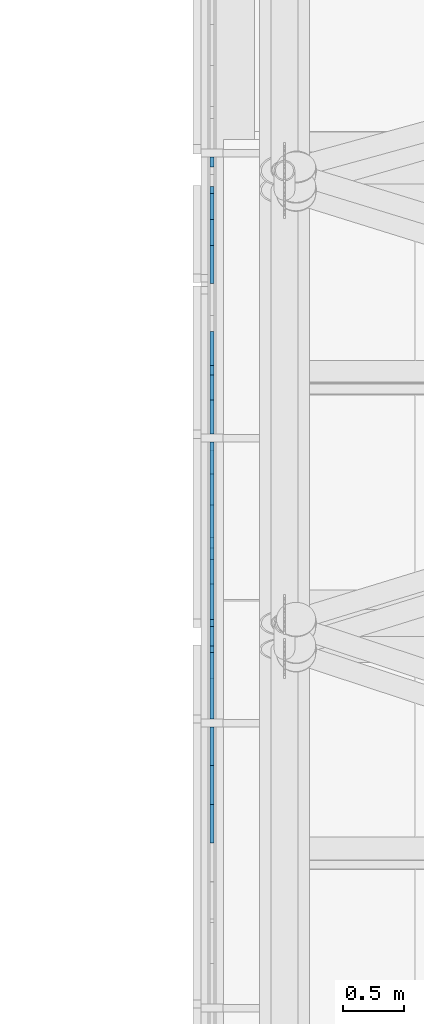
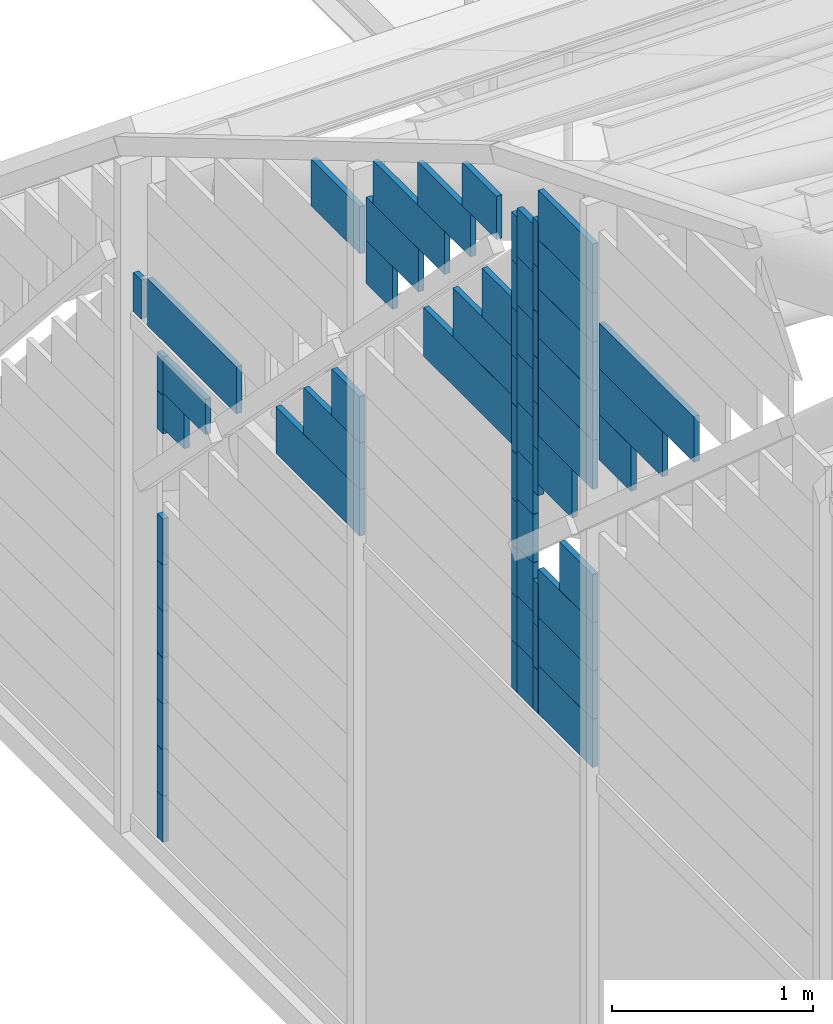
# One storey, part 73 of 110: 67 plates, 1 element without a shape of its own.
"""IFC4 building model written with IfcOpenShell, lengths in metres."""

from ifc_helpers import new_model, si_unit, direction, frame, origin, place, context, subcontext, project, spatial, polyline, outline, extrude, material, layer, layer_set, type_object, element, aggregate, save


model = new_model("IFC4")

# Units and contexts
model_context = context("Model", 3, precision=1e-05, world=origin(), true_north=direction((0.0, 1.0)))
body_context = subcontext(model_context, "Body", "Model", "MODEL_VIEW")
ifc_project = project(units=[si_unit("LENGTHUNIT", "METRE"), si_unit("AREAUNIT", "SQUARE_METRE"), si_unit("VOLUMEUNIT", "CUBIC_METRE"), si_unit("PLANEANGLEUNIT", "RADIAN"), si_unit("MASSUNIT", "GRAM", prefix="KILO")], contexts=[model_context])

# Site, building, storey
site_placement = place(None, origin())
site = spatial("IfcSite", under=ifc_project, at=site_placement, CompositionType="ELEMENT")
building_placement = place(site_placement, origin())
building = spatial("IfcBuilding", under=site, at=building_placement, Name="Windward Yard Aquatics Centre", CompositionType="ELEMENT")
storey_placement = place(building_placement, frame((0.0, 0.0, 22.60009765625)))
storey = spatial("IfcBuildingStorey", under=building, at=storey_placement, Name="L05", CompositionType="ELEMENT", Elevation=22.60009765625)

# Curtain wall, plates
ifc_material_1 = material(Name="Glass and aluminium curtain wall", Category="aluminium")
ifc_layer_1 = layer(ifc_material_1, 0.179931640625)
ifc_layer_set_1 = layer_set([ifc_layer_1], Name="H gable glazing system double glazed 8+16+8")
curtain_wall_type = type_object("IfcCurtainWallType", Name="H gable glazing system double glazed 8+16+8", PredefinedType="NOTDEFINED", material=ifc_layer_set_1)
curtain_wall_placement = place(storey_placement, origin())
curtain_wall = element("IfcCurtainWall", 1, at=curtain_wall_placement, inside=storey, type_object=curtain_wall_type, Name="Gable glazing W", PredefinedType="NOTDEFINED")
ifc_material_2 = material(Name="Low-iron glass", Category="glass")
ifc_layer_2 = layer(ifc_material_2, 0.008, Name="Outer pane")
ifc_material_3 = material(Name="Argon-filled cavity")
ifc_layer_3 = layer(ifc_material_3, 0.016, Name="Cavity")
ifc_layer_4 = layer(ifc_material_2, 0.008, Name="Inner pane")
ifc_layer_set_2 = layer_set([ifc_layer_2, ifc_layer_3, ifc_layer_4], Name="H gable glass low-e double glazed unit 32")
plate_type = type_object("IfcPlateType", Name="H gable glass low-e double glazed unit 32", PredefinedType="CURTAIN_PANEL", material=ifc_layer_set_2)
plate_1_placement = place(storey_placement, frame((59.426025390625, 72.24951171875, 5.059326171875), z_axis=(1.0, 0.0, 0.0), x_axis=(0.0, 1.0, 0.0)))
plate_1 = element("IfcPlate", 2, at=plate_1_placement, type_object=plate_type, Name="Gable panel 14.2l", PredefinedType="CURTAIN_PANEL", context=body_context, shape_type="SweptSolid", body=[
    extrude(outline(polyline([(0.0, 0.0), (0.314209, 0.0), (0.314209, 0.277588), (0.0, 0.277588), (0.0, 0.0)])), origin(), (0.0, 0.0, -1.0), 0.031982421875),
])
plate_2_placement = place(storey_placement, frame((59.426025390625, 71.935791015625, 5.33740234375), z_axis=(1.0, 0.0, 0.0), x_axis=(0.0, 1.0, 0.0)))
plate_2 = element("IfcPlate", 3, at=plate_2_placement, type_object=plate_type, Name="Gable panel 14.2m", PredefinedType="CURTAIN_PANEL", context=body_context, shape_type="SweptSolid", body=[
    extrude(outline(polyline([(0.0, 0.0), (0.62793, 0.0), (0.62793, 0.277588), (0.0, 0.277588), (0.0, 0.0)])), origin(), (0.0, 0.0, -1.0), 0.031982421875),
])
plate_3_placement = place(storey_placement, frame((59.426025390625, 71.621826171875, 5.615478515625), z_axis=(1.0, 0.0, 0.0), x_axis=(0.0, 1.0, 0.0)))
plate_3 = element("IfcPlate", 4, at=plate_3_placement, type_object=plate_type, Name="Gable panel 14.2n", PredefinedType="CURTAIN_PANEL", context=body_context, shape_type="SweptSolid", body=[
    extrude(outline(polyline([(0.0, 0.0), (0.941895, 0.0), (0.941895, 0.277588), (0.0, 0.277588), (0.0, 0.0)])), origin(), (0.0, 0.0, -1.0), 0.031982421875),
])
plate_4_placement = place(storey_placement, frame((59.426025390625, 73.438232421875, 4.63037109375), z_axis=(1.0, 0.0, 0.0), x_axis=(0.0, 1.0, 0.0)))
plate_4 = element("IfcPlate", 5, at=plate_4_placement, type_object=plate_type, Name="Gable panel 15.2f", PredefinedType="CURTAIN_PANEL", context=body_context, shape_type="SweptSolid", body=[
    extrude(outline(polyline([(0.0, 0.0), (0.874756, 0.0), (0.874756, 0.295654), (0.0, 0.295654), (0.0, 0.0)])), origin(), (0.0, 0.0, -1.0), 0.031982421875),
])
plate_5_placement = place(storey_placement, frame((59.426025390625, 73.438232421875, 4.926513671875), z_axis=(1.0, 0.0, 0.0), x_axis=(0.0, 1.0, 0.0)))
plate_5 = element("IfcPlate", 6, at=plate_5_placement, type_object=plate_type, Name="Gable panel 15.2g", PredefinedType="CURTAIN_PANEL", context=body_context, shape_type="SweptSolid", body=[
    extrude(outline(polyline([(0.0, 0.0), (0.583252, 0.0), (0.583252, 0.295654), (0.0, 0.295654), (0.0, 0.0)])), origin(), (0.0, 0.0, -1.0), 0.031982421875),
])
plate_6_placement = place(storey_placement, frame((59.426025390625, 73.438232421875, 5.22265625), z_axis=(1.0, 0.0, 0.0), x_axis=(0.0, 1.0, 0.0)))
plate_6 = element("IfcPlate", 7, at=plate_6_placement, type_object=plate_type, Name="Gable panel 15.2h", PredefinedType="CURTAIN_PANEL", context=body_context, shape_type="SweptSolid", body=[
    extrude(outline(polyline([(0.0, 0.0), (0.291748, 0.0), (0.291748, 0.295654), (0.0, 0.295654), (0.0, 0.0)])), origin(), (0.0, 0.0, -1.0), 0.031982421875),
])
plate_7_placement = place(storey_placement, frame((59.426025390625, 73.381103515625, 3.14990234375), z_axis=(1.0, 0.0, 0.0), x_axis=(0.0, 1.0, 0.0)))
plate_7 = element("IfcPlate", 8, at=plate_7_placement, type_object=plate_type, Name="Gable panel 15.2i", PredefinedType="CURTAIN_PANEL", context=body_context, shape_type="SweptSolid", body=[
    extrude(outline(polyline([(0.0, 0.0), (0.057129, 0.0), (0.057129, 0.288574), (0.0, 0.288574), (0.0, 0.0)])), origin(), (0.0, 0.0, -1.0), 0.031982421875),
])
plate_8_placement = place(storey_placement, frame((59.426025390625, 73.381103515625, 3.43896484375), z_axis=(1.0, 0.0, 0.0), x_axis=(0.0, 1.0, 0.0)))
plate_8 = element("IfcPlate", 9, at=plate_8_placement, type_object=plate_type, Name="Gable panel 15.2j", PredefinedType="CURTAIN_PANEL", context=body_context, shape_type="SweptSolid", body=[
    extrude(outline(polyline([(0.0, 0.0), (0.057129, 0.0), (0.057129, 0.28833), (0.0, 0.28833), (0.0, 0.0)])), origin(), (0.0, 0.0, -1.0), 0.031982421875),
])
plate_9_placement = place(storey_placement, frame((59.426025390625, 73.381103515625, 3.727783203125), z_axis=(1.0, 0.0, 0.0), x_axis=(0.0, 1.0, 0.0)))
plate_9 = element("IfcPlate", 10, at=plate_9_placement, type_object=plate_type, Name="Gable panel 15.2k", PredefinedType="CURTAIN_PANEL", context=body_context, shape_type="SweptSolid", body=[
    extrude(outline(polyline([(0.0, 0.0), (0.057129, 0.0), (0.057129, 0.28833), (0.0, 0.28833), (0.0, 0.0)])), origin(), (0.0, 0.0, -1.0), 0.031982421875),
])
plate_10_placement = place(storey_placement, frame((59.426025390625, 73.381103515625, 4.0166015625), z_axis=(1.0, 0.0, 0.0), x_axis=(0.0, 1.0, 0.0)))
plate_10 = element("IfcPlate", 11, at=plate_10_placement, type_object=plate_type, Name="Gable panel 15.2l", PredefinedType="CURTAIN_PANEL", context=body_context, shape_type="SweptSolid", body=[
    extrude(outline(polyline([(0.0, 0.0), (0.057129, 0.0), (0.057129, 0.28833), (0.0, 0.28833), (0.0, 0.0)])), origin(), (0.0, 0.0, -1.0), 0.031982421875),
])
plate_11_placement = place(storey_placement, frame((59.426025390625, 73.381103515625, 4.305419921875), z_axis=(1.0, 0.0, 0.0), x_axis=(0.0, 1.0, 0.0)))
plate_11 = element("IfcPlate", 12, at=plate_11_placement, type_object=plate_type, Name="Gable panel 15.2m", PredefinedType="CURTAIN_PANEL", context=body_context, shape_type="SweptSolid", body=[
    extrude(outline(polyline([(0.0, 0.0), (0.057129, 0.0), (0.057129, 0.28833), (0.0, 0.28833), (0.0, 0.0)])), origin(), (0.0, 0.0, -1.0), 0.031982421875),
])
plate_12_placement = place(storey_placement, frame((59.426025390625, 73.381103515625, 4.59423828125), z_axis=(1.0, 0.0, 0.0), x_axis=(0.0, 1.0, 0.0)))
plate_12 = element("IfcPlate", 13, at=plate_12_placement, type_object=plate_type, Name="Gable panel 15.2n", PredefinedType="CURTAIN_PANEL", context=body_context, shape_type="SweptSolid", body=[
    extrude(outline(polyline([(0.0, 0.0), (0.057129, 0.0), (0.057129, 0.28833), (0.0, 0.28833), (0.0, 0.0)])), origin(), (0.0, 0.0, -1.0), 0.031982421875),
])
plate_13_placement = place(storey_placement, frame((59.426025390625, 73.381103515625, 4.883056640625), z_axis=(1.0, 0.0, 0.0), x_axis=(0.0, 1.0, 0.0)))
plate_13 = element("IfcPlate", 14, at=plate_13_placement, type_object=plate_type, Name="Gable panel 15.2o", PredefinedType="CURTAIN_PANEL", context=body_context, shape_type="SweptSolid", body=[
    extrude(outline(polyline([(0.0, 0.0), (0.057129, 0.0), (0.057129, 0.28833), (0.0, 0.28833), (0.0, 0.0)])), origin(), (0.0, 0.0, -1.0), 0.031982421875),
])
plate_14_placement = place(storey_placement, frame((59.426025390625, 73.381103515625, 5.171875), z_axis=(1.0, 0.0, 0.0), x_axis=(0.0, 1.0, 0.0)))
plate_14 = element("IfcPlate", 15, at=plate_14_placement, type_object=plate_type, Name="Gable panel 15.2p", PredefinedType="CURTAIN_PANEL", context=body_context, shape_type="SweptSolid", body=[
    extrude(outline(polyline([(0.0, 0.0), (0.057129, 0.0), (0.057129, 0.28833), (0.0, 0.28833), (0.0, 0.0)])), origin(), (0.0, 0.0, -1.0), 0.031982421875),
])
plate_15_placement = place(storey_placement, frame((59.426025390625, 73.381103515625, 5.460693359375), z_axis=(1.0, 0.0, 0.0), x_axis=(0.0, 1.0, 0.0)))
plate_15 = element("IfcPlate", 16, at=plate_15_placement, type_object=plate_type, Name="Gable panel 15.2q", PredefinedType="CURTAIN_PANEL", context=body_context, shape_type="SweptSolid", body=[
    extrude(outline(polyline([(0.0, 0.0), (0.057129, 0.0), (0.057129, 0.28833), (0.0, 0.28833), (0.0, 0.0)])), origin(), (0.0, 0.0, -1.0), 0.031982421875),
])
plate_16_placement = place(storey_placement, frame((59.426025390625, 73.381103515625, 5.74951171875), z_axis=(1.0, 0.0, 0.0), x_axis=(0.0, 1.0, 0.0)))
plate_16 = element("IfcPlate", 17, at=plate_16_placement, type_object=plate_type, Name="Gable panel 15.2r", PredefinedType="CURTAIN_PANEL", context=body_context, shape_type="SweptSolid", body=[
    extrude(outline(polyline([(0.0, 0.0), (0.057129, 0.0), (0.057129, 0.28833), (0.0, 0.28833), (0.0, 0.0)])), origin(), (0.0, 0.0, -1.0), 0.031982421875),
])
plate_17_placement = place(storey_placement, frame((59.426025390625, 74.62353515625, 4.724609375), z_axis=(1.0, 0.0, 0.0), x_axis=(0.0, 1.0, 0.0)))
plate_17 = element("IfcPlate", 18, at=plate_17_placement, type_object=plate_type, Name="Gable panel 15.2s", PredefinedType="CURTAIN_PANEL", context=body_context, shape_type="SweptSolid", body=[
    extrude(outline(polyline([(0.0, 0.0), (0.259277, 0.0), (0.259277, 0.262939), (0.0, 0.262939), (0.0, 0.0)])), origin(), (0.0, 0.0, -1.0), 0.031982421875),
])
plate_18_placement = place(storey_placement, frame((59.426025390625, 74.3642578125, 4.98779296875), z_axis=(1.0, 0.0, 0.0), x_axis=(0.0, 1.0, 0.0)))
plate_18 = element("IfcPlate", 19, at=plate_18_placement, type_object=plate_type, Name="Gable panel 15.2t", PredefinedType="CURTAIN_PANEL", context=body_context, shape_type="SweptSolid", body=[
    extrude(outline(polyline([(0.0, 0.0), (0.518555, 0.0), (0.518555, 0.262939), (0.0, 0.262939), (0.0, 0.0)])), origin(), (0.0, 0.0, -1.0), 0.031982421875),
])
plate_19_placement = place(storey_placement, frame((59.426025390625, 74.105224609375, 5.251220703125), z_axis=(1.0, 0.0, 0.0), x_axis=(0.0, 1.0, 0.0)))
plate_19 = element("IfcPlate", 20, at=plate_19_placement, type_object=plate_type, Name="Gable panel 15.2u", PredefinedType="CURTAIN_PANEL", context=body_context, shape_type="SweptSolid", body=[
    extrude(outline(polyline([(0.0, 0.0), (0.71167, 0.0), (0.71167, 0.262695), (0.0, 0.262695), (0.0, 0.0)])), origin(), (0.0, 0.0, -1.0), 0.031982421875),
])
plate_20_placement = place(storey_placement, frame((59.426025390625, 73.845947265625, 5.514404296875), z_axis=(1.0, 0.0, 0.0), x_axis=(0.0, 1.0, 0.0)))
plate_20 = element("IfcPlate", 21, at=plate_20_placement, type_object=plate_type, Name="Gable panel 15.2v", PredefinedType="CURTAIN_PANEL", context=body_context, shape_type="SweptSolid", body=[
    extrude(outline(polyline([(0.0, 0.0), (0.526855, 0.0), (0.526855, 0.262695), (0.0, 0.262695), (0.0, 0.0)])), origin(), (0.0, 0.0, -1.0), 0.031982421875),
])
plate_21_placement = place(storey_placement, frame((59.426025390625, 73.586669921875, 5.777587890625), z_axis=(1.0, 0.0, 0.0), x_axis=(0.0, 1.0, 0.0)))
plate_21 = element("IfcPlate", 22, at=plate_21_placement, type_object=plate_type, Name="Gable panel 15.2w", PredefinedType="CURTAIN_PANEL", context=body_context, shape_type="SweptSolid", body=[
    extrude(outline(polyline([(0.0, 0.0), (0.341797, 0.0), (0.341797, 0.262939), (0.0, 0.262939), (0.0, 0.0)])), origin(), (0.0, 0.0, -1.0), 0.031982421875),
])
plate_22_placement = place(storey_placement, frame((59.426025390625, 73.2236328125, 3.14990234375), z_axis=(1.0, 0.0, 0.0), x_axis=(0.0, 1.0, 0.0)))
plate_22 = element("IfcPlate", 23, at=plate_22_placement, type_object=plate_type, Name="Gable panel 15.2x", PredefinedType="CURTAIN_PANEL", context=body_context, shape_type="SweptSolid", body=[
    extrude(outline(polyline([(0.0, 0.0), (0.157471, 0.0), (0.157471, 0.294434), (0.0, 0.294434), (0.0, 0.0)])), origin(), (0.0, 0.0, -1.0), 0.031982421875),
])
plate_23_placement = place(storey_placement, frame((59.426025390625, 73.2236328125, 3.444580078125), z_axis=(1.0, 0.0, 0.0), x_axis=(0.0, 1.0, 0.0)))
plate_23 = element("IfcPlate", 24, at=plate_23_placement, type_object=plate_type, Name="Gable panel 15.2y", PredefinedType="CURTAIN_PANEL", context=body_context, shape_type="SweptSolid", body=[
    extrude(outline(polyline([(0.0, 0.0), (0.157471, 0.0), (0.157471, 0.294189), (0.0, 0.294189), (0.0, 0.0)])), origin(), (0.0, 0.0, -1.0), 0.031982421875),
])
plate_24_placement = place(storey_placement, frame((59.426025390625, 73.2236328125, 3.7392578125), z_axis=(1.0, 0.0, 0.0), x_axis=(0.0, 1.0, 0.0)))
plate_24 = element("IfcPlate", 25, at=plate_24_placement, type_object=plate_type, Name="Gable panel 15.2z", PredefinedType="CURTAIN_PANEL", context=body_context, shape_type="SweptSolid", body=[
    extrude(outline(polyline([(0.0, 0.0), (0.157471, 0.0), (0.157471, 0.294189), (0.0, 0.294189), (0.0, 0.0)])), origin(), (0.0, 0.0, -1.0), 0.031982421875),
])
plate_25_placement = place(storey_placement, frame((59.426025390625, 73.2236328125, 4.03369140625), z_axis=(1.0, 0.0, 0.0), x_axis=(0.0, 1.0, 0.0)))
plate_25 = element("IfcPlate", 26, at=plate_25_placement, type_object=plate_type, Name="Gable panel 15.2aa", PredefinedType="CURTAIN_PANEL", context=body_context, shape_type="SweptSolid", body=[
    extrude(outline(polyline([(0.0, 0.0), (0.157471, 0.0), (0.157471, 0.294189), (0.0, 0.294189), (0.0, 0.0)])), origin(), (0.0, 0.0, -1.0), 0.031982421875),
])
plate_26_placement = place(storey_placement, frame((59.426025390625, 73.2236328125, 4.328369140625), z_axis=(1.0, 0.0, 0.0), x_axis=(0.0, 1.0, 0.0)))
plate_26 = element("IfcPlate", 27, at=plate_26_placement, type_object=plate_type, Name="Gable panel 15.2ab", PredefinedType="CURTAIN_PANEL", context=body_context, shape_type="SweptSolid", body=[
    extrude(outline(polyline([(0.0, 0.0), (0.157471, 0.0), (0.157471, 0.294189), (0.0, 0.294189), (0.0, 0.0)])), origin(), (0.0, 0.0, -1.0), 0.031982421875),
])
plate_27_placement = place(storey_placement, frame((59.426025390625, 73.2236328125, 4.622802734375), z_axis=(1.0, 0.0, 0.0), x_axis=(0.0, 1.0, 0.0)))
plate_27 = element("IfcPlate", 28, at=plate_27_placement, type_object=plate_type, Name="Gable panel 15.2ac", PredefinedType="CURTAIN_PANEL", context=body_context, shape_type="SweptSolid", body=[
    extrude(outline(polyline([(0.0, 0.0), (0.157471, 0.0), (0.157471, 0.294189), (0.0, 0.294189), (0.0, 0.0)])), origin(), (0.0, 0.0, -1.0), 0.031982421875),
])
plate_28_placement = place(storey_placement, frame((59.426025390625, 73.2236328125, 4.91748046875), z_axis=(1.0, 0.0, 0.0), x_axis=(0.0, 1.0, 0.0)))
plate_28 = element("IfcPlate", 29, at=plate_28_placement, type_object=plate_type, Name="Gable panel 15.2ad", PredefinedType="CURTAIN_PANEL", context=body_context, shape_type="SweptSolid", body=[
    extrude(outline(polyline([(0.0, 0.0), (0.157471, 0.0), (0.157471, 0.294189), (0.0, 0.294189), (0.0, 0.0)])), origin(), (0.0, 0.0, -1.0), 0.031982421875),
])
plate_29_placement = place(storey_placement, frame((59.426025390625, 73.2236328125, 5.212158203125), z_axis=(1.0, 0.0, 0.0), x_axis=(0.0, 1.0, 0.0)))
plate_29 = element("IfcPlate", 30, at=plate_29_placement, type_object=plate_type, Name="Gable panel 15.2ae", PredefinedType="CURTAIN_PANEL", context=body_context, shape_type="SweptSolid", body=[
    extrude(outline(polyline([(0.0, 0.0), (0.157471, 0.0), (0.157471, 0.293945), (0.0, 0.293945), (0.0, 0.0)])), origin(), (0.0, 0.0, -1.0), 0.031982421875),
])
plate_30_placement = place(storey_placement, frame((59.426025390625, 73.2236328125, 5.506591796875), z_axis=(1.0, 0.0, 0.0), x_axis=(0.0, 1.0, 0.0)))
plate_30 = element("IfcPlate", 31, at=plate_30_placement, type_object=plate_type, Name="Gable panel 15.2af", PredefinedType="CURTAIN_PANEL", context=body_context, shape_type="SweptSolid", body=[
    extrude(outline(polyline([(0.0, 0.0), (0.157471, 0.0), (0.157471, 0.294189), (0.0, 0.294189), (0.0, 0.0)])), origin(), (0.0, 0.0, -1.0), 0.031982421875),
])
plate_31_placement = place(storey_placement, frame((59.426025390625, 73.2236328125, 5.80126953125), z_axis=(1.0, 0.0, 0.0), x_axis=(0.0, 1.0, 0.0)))
plate_31 = element("IfcPlate", 32, at=plate_31_placement, type_object=plate_type, Name="Gable panel 15.2ag", PredefinedType="CURTAIN_PANEL", context=body_context, shape_type="SweptSolid", body=[
    extrude(outline(polyline([(0.0, 0.0), (0.157471, 0.0), (0.157471, 0.293945), (0.0, 0.293945), (0.0, 0.0)])), origin(), (0.0, 0.0, -1.0), 0.031982421875),
])
plate_32_placement = place(storey_placement, frame((59.426025390625, 73.170654296875, 3.14990234375), z_axis=(1.0, 0.0, 0.0), x_axis=(0.0, 1.0, 0.0)))
plate_32 = element("IfcPlate", 33, at=plate_32_placement, type_object=plate_type, Name="Gable panel 15.2ah", PredefinedType="CURTAIN_PANEL", context=body_context, shape_type="SweptSolid", body=[
    extrude(outline(polyline([(0.0, 0.0), (0.052979, 0.0), (0.052979, 0.261475), (0.0, 0.261475), (0.0, 0.0)])), origin(), (0.0, 0.0, -1.0), 0.031982421875),
])
plate_33_placement = place(storey_placement, frame((59.426025390625, 73.170654296875, 3.41162109375), z_axis=(1.0, 0.0, 0.0), x_axis=(0.0, 1.0, 0.0)))
plate_33 = element("IfcPlate", 34, at=plate_33_placement, type_object=plate_type, Name="Gable panel 15.2ai", PredefinedType="CURTAIN_PANEL", context=body_context, shape_type="SweptSolid", body=[
    extrude(outline(polyline([(0.0, 0.0), (0.052979, 0.0), (0.052979, 0.261475), (0.0, 0.261475), (0.0, 0.0)])), origin(), (0.0, 0.0, -1.0), 0.031982421875),
])
plate_34_placement = place(storey_placement, frame((59.426025390625, 73.170654296875, 3.67333984375), z_axis=(1.0, 0.0, 0.0), x_axis=(0.0, 1.0, 0.0)))
plate_34 = element("IfcPlate", 35, at=plate_34_placement, type_object=plate_type, Name="Gable panel 15.2aj", PredefinedType="CURTAIN_PANEL", context=body_context, shape_type="SweptSolid", body=[
    extrude(outline(polyline([(0.0, 0.0), (0.052979, 0.0), (0.052979, 0.26123), (0.0, 0.26123), (0.0, 0.0)])), origin(), (0.0, 0.0, -1.0), 0.031982421875),
])
plate_35_placement = place(storey_placement, frame((59.426025390625, 73.170654296875, 4.4736328125), z_axis=(1.0, 0.0, 0.0), x_axis=(0.0, 1.0, 0.0)))
plate_35 = element("IfcPlate", 36, at=plate_35_placement, type_object=plate_type, Name="Gable panel 15.2ak", PredefinedType="CURTAIN_PANEL", context=body_context, shape_type="SweptSolid", body=[
    extrude(outline(polyline([(0.0, 0.0), (0.052979, 0.0), (0.052979, 0.276367), (0.0, 0.276367), (0.0, 0.0)])), origin(), (0.0, 0.0, -1.0), 0.031982421875),
])
plate_36_placement = place(storey_placement, frame((59.426025390625, 73.170654296875, 4.75048828125), z_axis=(1.0, 0.0, 0.0), x_axis=(0.0, 1.0, 0.0)))
plate_36 = element("IfcPlate", 37, at=plate_36_placement, type_object=plate_type, Name="Gable panel 15.2al", PredefinedType="CURTAIN_PANEL", context=body_context, shape_type="SweptSolid", body=[
    extrude(outline(polyline([(0.0, 0.0), (0.052979, 0.0), (0.052979, 0.276367), (0.0, 0.276367), (0.0, 0.0)])), origin(), (0.0, 0.0, -1.0), 0.031982421875),
])
plate_37_placement = place(storey_placement, frame((59.426025390625, 73.170654296875, 5.02734375), z_axis=(1.0, 0.0, 0.0), x_axis=(0.0, 1.0, 0.0)))
plate_37 = element("IfcPlate", 38, at=plate_37_placement, type_object=plate_type, Name="Gable panel 15.2am", PredefinedType="CURTAIN_PANEL", context=body_context, shape_type="SweptSolid", body=[
    extrude(outline(polyline([(0.0, 0.0), (0.052979, 0.0), (0.052979, 0.276367), (0.0, 0.276367), (0.0, 0.0)])), origin(), (0.0, 0.0, -1.0), 0.031982421875),
])
plate_38_placement = place(storey_placement, frame((59.426025390625, 73.170654296875, 5.30419921875), z_axis=(1.0, 0.0, 0.0), x_axis=(0.0, 1.0, 0.0)))
plate_38 = element("IfcPlate", 39, at=plate_38_placement, type_object=plate_type, Name="Gable panel 15.2an", PredefinedType="CURTAIN_PANEL", context=body_context, shape_type="SweptSolid", body=[
    extrude(outline(polyline([(0.0, 0.0), (0.052979, 0.0), (0.052979, 0.276367), (0.0, 0.276367), (0.0, 0.0)])), origin(), (0.0, 0.0, -1.0), 0.031982421875),
])
plate_39_placement = place(storey_placement, frame((59.426025390625, 73.170654296875, 5.5810546875), z_axis=(1.0, 0.0, 0.0), x_axis=(0.0, 1.0, 0.0)))
plate_39 = element("IfcPlate", 40, at=plate_39_placement, type_object=plate_type, Name="Gable panel 15.2ao", PredefinedType="CURTAIN_PANEL", context=body_context, shape_type="SweptSolid", body=[
    extrude(outline(polyline([(0.0, 0.0), (0.052979, 0.0), (0.052979, 0.276367), (0.0, 0.276367), (0.0, 0.0)])), origin(), (0.0, 0.0, -1.0), 0.031982421875),
])
plate_40_placement = place(storey_placement, frame((59.426025390625, 73.170654296875, 5.85791015625), z_axis=(1.0, 0.0, 0.0), x_axis=(0.0, 1.0, 0.0)))
plate_40 = element("IfcPlate", 41, at=plate_40_placement, type_object=plate_type, Name="Gable panel 15.2ap", PredefinedType="CURTAIN_PANEL", context=body_context, shape_type="SweptSolid", body=[
    extrude(outline(polyline([(0.0, 0.0), (0.052979, 0.0), (0.052979, 0.276367), (0.0, 0.276367), (0.0, 0.0)])), origin(), (0.0, 0.0, -1.0), 0.031982421875),
])
plate_41_placement = place(storey_placement, frame((59.426025390625, 72.628662109375, 3.14990234375), z_axis=(1.0, 0.0, 0.0), x_axis=(0.0, 1.0, 0.0)))
plate_41 = element("IfcPlate", 42, at=plate_41_placement, type_object=plate_type, Name="Gable panel 15.2aq", PredefinedType="CURTAIN_PANEL", context=body_context, shape_type="SweptSolid", body=[
    extrude(outline(polyline([(0.0, 0.0), (0.541992, 0.0), (0.541992, 0.293213), (0.0, 0.293213), (0.0, 0.0)])), origin(), (0.0, 0.0, -1.0), 0.031982421875),
])
plate_42_placement = place(storey_placement, frame((59.426025390625, 72.628662109375, 3.443359375), z_axis=(1.0, 0.0, 0.0), x_axis=(0.0, 1.0, 0.0)))
plate_42 = element("IfcPlate", 43, at=plate_42_placement, type_object=plate_type, Name="Gable panel 15.2ar", PredefinedType="CURTAIN_PANEL", context=body_context, shape_type="SweptSolid", body=[
    extrude(outline(polyline([(0.0, 0.0), (0.541992, 0.0), (0.541992, 0.292969), (0.0, 0.292969), (0.0, 0.0)])), origin(), (0.0, 0.0, -1.0), 0.031982421875),
])
plate_43_placement = place(storey_placement, frame((59.426025390625, 72.628662109375, 3.73681640625), z_axis=(1.0, 0.0, 0.0), x_axis=(0.0, 1.0, 0.0)))
plate_43 = element("IfcPlate", 44, at=plate_43_placement, type_object=plate_type, Name="Gable panel 15.2as", PredefinedType="CURTAIN_PANEL", context=body_context, shape_type="SweptSolid", body=[
    extrude(outline(polyline([(0.0, 0.0), (0.541992, 0.0), (0.541992, 0.292969), (0.0, 0.292969), (0.0, 0.0)])), origin(), (0.0, 0.0, -1.0), 0.031982421875),
])
plate_44_placement = place(storey_placement, frame((59.426025390625, 72.628662109375, 4.0302734375), z_axis=(1.0, 0.0, 0.0), x_axis=(0.0, 1.0, 0.0)))
plate_44 = element("IfcPlate", 45, at=plate_44_placement, type_object=plate_type, Name="Gable panel 15.2at", PredefinedType="CURTAIN_PANEL", context=body_context, shape_type="SweptSolid", body=[
    extrude(outline(polyline([(0.0, 0.0), (0.331543, 0.0), (0.331543, 0.292969), (0.0, 0.292969), (0.0, 0.0)])), origin(), (0.0, 0.0, -1.0), 0.031982421875),
])
plate_45_placement = place(storey_placement, frame((59.426025390625, 72.833740234375, 4.5419921875), z_axis=(1.0, 0.0, 0.0), x_axis=(0.0, 1.0, 0.0)))
plate_45 = element("IfcPlate", 46, at=plate_45_placement, type_object=plate_type, Name="Gable panel 15.2au", PredefinedType="CURTAIN_PANEL", context=body_context, shape_type="SweptSolid", body=[
    extrude(outline(polyline([(0.0, 0.0), (0.336914, 0.0), (0.336914, 0.297607), (0.0, 0.297607), (0.0, 0.0)])), origin(), (0.0, 0.0, -1.0), 0.031982421875),
])
plate_46_placement = place(storey_placement, frame((59.426025390625, 72.628662109375, 4.840087890625), z_axis=(1.0, 0.0, 0.0), x_axis=(0.0, 1.0, 0.0)))
plate_46 = element("IfcPlate", 47, at=plate_46_placement, type_object=plate_type, Name="Gable panel 15.2av", PredefinedType="CURTAIN_PANEL", context=body_context, shape_type="SweptSolid", body=[
    extrude(outline(polyline([(0.0, 0.0), (0.541992, 0.0), (0.541992, 0.297852), (0.0, 0.297852), (0.0, 0.0)])), origin(), (0.0, 0.0, -1.0), 0.031982421875),
])
plate_47_placement = place(storey_placement, frame((59.426025390625, 72.628662109375, 5.138427734375), z_axis=(1.0, 0.0, 0.0), x_axis=(0.0, 1.0, 0.0)))
plate_47 = element("IfcPlate", 48, at=plate_47_placement, type_object=plate_type, Name="Gable panel 15.2aw", PredefinedType="CURTAIN_PANEL", context=body_context, shape_type="SweptSolid", body=[
    extrude(outline(polyline([(0.0, 0.0), (0.541992, 0.0), (0.541992, 0.297607), (0.0, 0.297607), (0.0, 0.0)])), origin(), (0.0, 0.0, -1.0), 0.031982421875),
])
plate_48_placement = place(storey_placement, frame((59.426025390625, 72.628662109375, 5.4365234375), z_axis=(1.0, 0.0, 0.0), x_axis=(0.0, 1.0, 0.0)))
plate_48 = element("IfcPlate", 49, at=plate_48_placement, type_object=plate_type, Name="Gable panel 15.2ax", PredefinedType="CURTAIN_PANEL", context=body_context, shape_type="SweptSolid", body=[
    extrude(outline(polyline([(0.0, 0.0), (0.541992, 0.0), (0.541992, 0.297852), (0.0, 0.297852), (0.0, 0.0)])), origin(), (0.0, 0.0, -1.0), 0.031982421875),
])
plate_49_placement = place(storey_placement, frame((59.426025390625, 72.628662109375, 5.73486328125), z_axis=(1.0, 0.0, 0.0), x_axis=(0.0, 1.0, 0.0)))
plate_49 = element("IfcPlate", 50, at=plate_49_placement, type_object=plate_type, Name="Gable panel 15.2ay", PredefinedType="CURTAIN_PANEL", context=body_context, shape_type="SweptSolid", body=[
    extrude(outline(polyline([(0.0, 0.0), (0.541992, 0.0), (0.541992, 0.297852), (0.0, 0.297852), (0.0, 0.0)])), origin(), (0.0, 0.0, -1.0), 0.031982421875),
])
plate_50_placement = place(storey_placement, frame((59.426025390625, 72.628662109375, 6.032958984375), z_axis=(1.0, 0.0, 0.0), x_axis=(0.0, 1.0, 0.0)))
plate_50 = element("IfcPlate", 51, at=plate_50_placement, type_object=plate_type, Name="Gable panel 15.2az", PredefinedType="CURTAIN_PANEL", context=body_context, shape_type="SweptSolid", body=[
    extrude(outline(polyline([(0.0, 0.0), (0.541992, 0.0), (0.541992, 0.297852), (0.0, 0.297852), (0.0, 0.0)])), origin(), (0.0, 0.0, -1.0), 0.031982421875),
])
plate_51_placement = place(storey_placement, frame((59.426025390625, 76.906982421875, 0.099853515625), z_axis=(1.0, 0.0, 0.0), x_axis=(0.0, 1.0, 0.0)))
plate_51 = element("IfcPlate", 52, at=plate_51_placement, type_object=plate_type, Name="Gable panel 16.1b", PredefinedType="CURTAIN_PANEL", context=body_context, shape_type="SweptSolid", body=[
    extrude(outline(polyline([(0.0, 0.0), (0.056885, 0.0), (0.056885, 0.280762), (0.0, 0.280762), (0.0, 0.0)])), origin(), (0.0, 0.0, -1.0), 0.031982421875),
])
plate_52_placement = place(storey_placement, frame((59.426025390625, 76.906982421875, 0.381103515625), z_axis=(1.0, 0.0, 0.0), x_axis=(0.0, 1.0, 0.0)))
plate_52 = element("IfcPlate", 53, at=plate_52_placement, type_object=plate_type, Name="Gable panel 16.1c", PredefinedType="CURTAIN_PANEL", context=body_context, shape_type="SweptSolid", body=[
    extrude(outline(polyline([(0.0, 0.0), (0.056885, 0.0), (0.056885, 0.280518), (0.0, 0.280518), (0.0, 0.0)])), origin(), (0.0, 0.0, -1.0), 0.031982421875),
])
plate_53_placement = place(storey_placement, frame((59.426025390625, 76.906982421875, 0.662109375), z_axis=(1.0, 0.0, 0.0), x_axis=(0.0, 1.0, 0.0)))
plate_53 = element("IfcPlate", 54, at=plate_53_placement, type_object=plate_type, Name="Gable panel 16.1d", PredefinedType="CURTAIN_PANEL", context=body_context, shape_type="SweptSolid", body=[
    extrude(outline(polyline([(0.0, 0.0), (0.056885, 0.0), (0.056885, 0.280518), (0.0, 0.280518), (0.0, 0.0)])), origin(), (0.0, 0.0, -1.0), 0.031982421875),
])
plate_54_placement = place(storey_placement, frame((59.426025390625, 76.906982421875, 0.943115234375), z_axis=(1.0, 0.0, 0.0), x_axis=(0.0, 1.0, 0.0)))
plate_54 = element("IfcPlate", 55, at=plate_54_placement, type_object=plate_type, Name="Gable panel 16.1e", PredefinedType="CURTAIN_PANEL", context=body_context, shape_type="SweptSolid", body=[
    extrude(outline(polyline([(0.0, 0.0), (0.056885, 0.0), (0.056885, 0.280518), (0.0, 0.280518), (0.0, 0.0)])), origin(), (0.0, 0.0, -1.0), 0.031982421875),
])
plate_55_placement = place(storey_placement, frame((59.426025390625, 76.906982421875, 1.22412109375), z_axis=(1.0, 0.0, 0.0), x_axis=(0.0, 1.0, 0.0)))
plate_55 = element("IfcPlate", 56, at=plate_55_placement, type_object=plate_type, Name="Gable panel 16.1f", PredefinedType="CURTAIN_PANEL", context=body_context, shape_type="SweptSolid", body=[
    extrude(outline(polyline([(0.0, 0.0), (0.056885, 0.0), (0.056885, 0.280518), (0.0, 0.280518), (0.0, 0.0)])), origin(), (0.0, 0.0, -1.0), 0.031982421875),
])
plate_56_placement = place(storey_placement, frame((59.426025390625, 76.906982421875, 1.5048828125), z_axis=(1.0, 0.0, 0.0), x_axis=(0.0, 1.0, 0.0)))
plate_56 = element("IfcPlate", 57, at=plate_56_placement, type_object=plate_type, Name="Gable panel 16.1g", PredefinedType="CURTAIN_PANEL", context=body_context, shape_type="SweptSolid", body=[
    extrude(outline(polyline([(0.0, 0.0), (0.056885, 0.0), (0.056885, 0.280762), (0.0, 0.280762), (0.0, 0.0)])), origin(), (0.0, 0.0, -1.0), 0.031982421875),
])
plate_57_placement = place(storey_placement, frame((59.426025390625, 76.906982421875, 1.785888671875), z_axis=(1.0, 0.0, 0.0), x_axis=(0.0, 1.0, 0.0)))
plate_57 = element("IfcPlate", 58, at=plate_57_placement, type_object=plate_type, Name="Gable panel 16.1h", PredefinedType="CURTAIN_PANEL", context=body_context, shape_type="SweptSolid", body=[
    extrude(outline(polyline([(0.0, 0.0), (0.056885, 0.0), (0.056885, 0.280762), (0.0, 0.280762), (0.0, 0.0)])), origin(), (0.0, 0.0, -1.0), 0.031982421875),
])
plate_58_placement = place(storey_placement, frame((59.426025390625, 76.906982421875, 2.58203125), z_axis=(1.0, 0.0, 0.0), x_axis=(0.0, 1.0, 0.0)))
plate_58 = element("IfcPlate", 59, at=plate_58_placement, type_object=plate_type, Name="Gable panel 16.1i", PredefinedType="CURTAIN_PANEL", context=body_context, shape_type="SweptSolid", body=[
    extrude(outline(polyline([(0.0, 0.0), (0.056885, 0.0), (0.056885, 0.233643), (0.0, 0.233643), (0.0, 0.0)])), origin(), (0.0, 0.0, -1.0), 0.031982421875),
])
plate_59_placement = place(storey_placement, frame((59.426025390625, 76.906982421875, 2.81591796875), z_axis=(1.0, 0.0, 0.0), x_axis=(0.0, 1.0, 0.0)))
plate_59 = element("IfcPlate", 60, at=plate_59_placement, type_object=plate_type, Name="Gable panel 16.1j", PredefinedType="CURTAIN_PANEL", context=body_context, shape_type="SweptSolid", body=[
    extrude(outline(polyline([(0.0, 0.0), (0.056885, 0.0), (0.056885, 0.233887), (0.0, 0.233887), (0.0, 0.0)])), origin(), (0.0, 0.0, -1.0), 0.031982421875),
])
plate_60_placement = place(storey_placement, frame((59.426025390625, 76.6953125, 2.62060546875), z_axis=(1.0, 0.0, 0.0), x_axis=(0.0, 1.0, 0.0)))
plate_60 = element("IfcPlate", 61, at=plate_60_placement, type_object=plate_type, Name="Gable panel 16.1u", PredefinedType="CURTAIN_PANEL", context=body_context, shape_type="SweptSolid", body=[
    extrude(outline(polyline([(0.0, 0.0), (0.21167, 0.0), (0.21167, 0.214355), (0.0, 0.214355), (0.0, 0.0)])), origin(), (0.0, 0.0, -1.0), 0.031982421875),
])
plate_61_placement = place(storey_placement, frame((59.426025390625, 76.483642578125, 2.83544921875), z_axis=(1.0, 0.0, 0.0), x_axis=(0.0, 1.0, 0.0)))
plate_61 = element("IfcPlate", 62, at=plate_61_placement, type_object=plate_type, Name="Gable panel 16.1v", PredefinedType="CURTAIN_PANEL", context=body_context, shape_type="SweptSolid", body=[
    extrude(outline(polyline([(0.0, 0.0), (0.42334, 0.0), (0.42334, 0.214355), (0.0, 0.214355), (0.0, 0.0)])), origin(), (0.0, 0.0, -1.0), 0.031982421875),
])
plate_62_placement = place(storey_placement, frame((59.426025390625, 74.947998046875, 3.14990234375), z_axis=(1.0, 0.0, 0.0), x_axis=(0.0, 1.0, 0.0)))
plate_62 = element("IfcPlate", 63, at=plate_62_placement, type_object=plate_type, Name="Gable panel 16.2a", PredefinedType="CURTAIN_PANEL", context=body_context, shape_type="SweptSolid", body=[
    extrude(outline(polyline([(0.0, 0.0), (0.835449, 0.0), (0.835449, 0.282715), (0.0, 0.282715), (0.0, 0.0)])), origin(), (0.0, 0.0, -1.0), 0.031982421875),
])
plate_63_placement = place(storey_placement, frame((59.426025390625, 74.947998046875, 3.432861328125), z_axis=(1.0, 0.0, 0.0), x_axis=(0.0, 1.0, 0.0)))
plate_63 = element("IfcPlate", 64, at=plate_63_placement, type_object=plate_type, Name="Gable panel 16.2b", PredefinedType="CURTAIN_PANEL", context=body_context, shape_type="SweptSolid", body=[
    extrude(outline(polyline([(0.0, 0.0), (0.557129, 0.0), (0.557129, 0.282471), (0.0, 0.282471), (0.0, 0.0)])), origin(), (0.0, 0.0, -1.0), 0.031982421875),
])
plate_64_placement = place(storey_placement, frame((59.426025390625, 74.947998046875, 3.7158203125), z_axis=(1.0, 0.0, 0.0), x_axis=(0.0, 1.0, 0.0)))
plate_64 = element("IfcPlate", 65, at=plate_64_placement, type_object=plate_type, Name="Gable panel 16.2c", PredefinedType="CURTAIN_PANEL", context=body_context, shape_type="SweptSolid", body=[
    extrude(outline(polyline([(0.0, 0.0), (0.278564, 0.0), (0.278564, 0.282227), (0.0, 0.282227), (0.0, 0.0)])), origin(), (0.0, 0.0, -1.0), 0.031982421875),
])
plate_65_placement = place(storey_placement, frame((59.426025390625, 77.122314453125, 3.14990234375), z_axis=(1.0, 0.0, 0.0), x_axis=(0.0, 1.0, 0.0)))
plate_65 = element("IfcPlate", 66, at=plate_65_placement, type_object=plate_type, Name="Gable panel 16.2d", PredefinedType="CURTAIN_PANEL", context=body_context, shape_type="SweptSolid", body=[
    extrude(outline(polyline([(0.0, 0.0), (0.079834, 0.0), (0.079834, 0.236816), (0.0, 0.236816), (0.0, 0.0)])), origin(), (0.0, 0.0, -1.0), 0.031982421875),
])
plate_66_placement = place(storey_placement, frame((59.426025390625, 76.174072265625, 3.14990234375), z_axis=(1.0, 0.0, 0.0), x_axis=(0.0, 1.0, 0.0)))
plate_66 = element("IfcPlate", 67, at=plate_66_placement, type_object=plate_type, Name="Gable panel 16.2f", PredefinedType="CURTAIN_PANEL", context=body_context, shape_type="SweptSolid", body=[
    extrude(outline(polyline([(0.0, 0.0), (0.888428, 0.0), (0.888428, 0.285645), (0.0, 0.285645), (0.0, 0.0)])), origin(), (0.0, 0.0, -1.0), 0.031982421875),
])
plate_67_placement = place(storey_placement, frame((59.426025390625, 74.947998046875, 4.864990234375), z_axis=(1.0, 0.0, 0.0), x_axis=(0.0, 1.0, 0.0)))
plate_67 = element("IfcPlate", 68, at=plate_67_placement, type_object=plate_type, Name="Gable panel 16.2l", PredefinedType="CURTAIN_PANEL", context=body_context, shape_type="SweptSolid", body=[
    extrude(outline(polyline([(0.0, 0.0), (0.482422, 0.0), (0.482422, 0.2854), (0.0, 0.2854), (0.0, 0.0)])), origin(), (0.0, 0.0, -1.0), 0.031982421875),
])
aggregate(curtain_wall, [plate_1, plate_2, plate_3, plate_4, plate_5, plate_6, plate_7, plate_8, plate_9, plate_10, plate_11, plate_12, plate_13, plate_14, plate_15, plate_16, plate_17, plate_18, plate_19, plate_20, plate_21, plate_22, plate_23, plate_24, plate_25, plate_26, plate_27, plate_28, plate_29, plate_30, plate_31, plate_32, plate_33, plate_34, plate_35, plate_36, plate_37, plate_38, plate_39, plate_40, plate_41, plate_42, plate_43, plate_44, plate_45, plate_46, plate_47, plate_48, plate_49, plate_50, plate_51, plate_52, plate_53, plate_54, plate_55, plate_56, plate_57, plate_58, plate_59, plate_60, plate_61, plate_62, plate_63, plate_64, plate_65, plate_66, plate_67])

save(model, "model.ifc")
